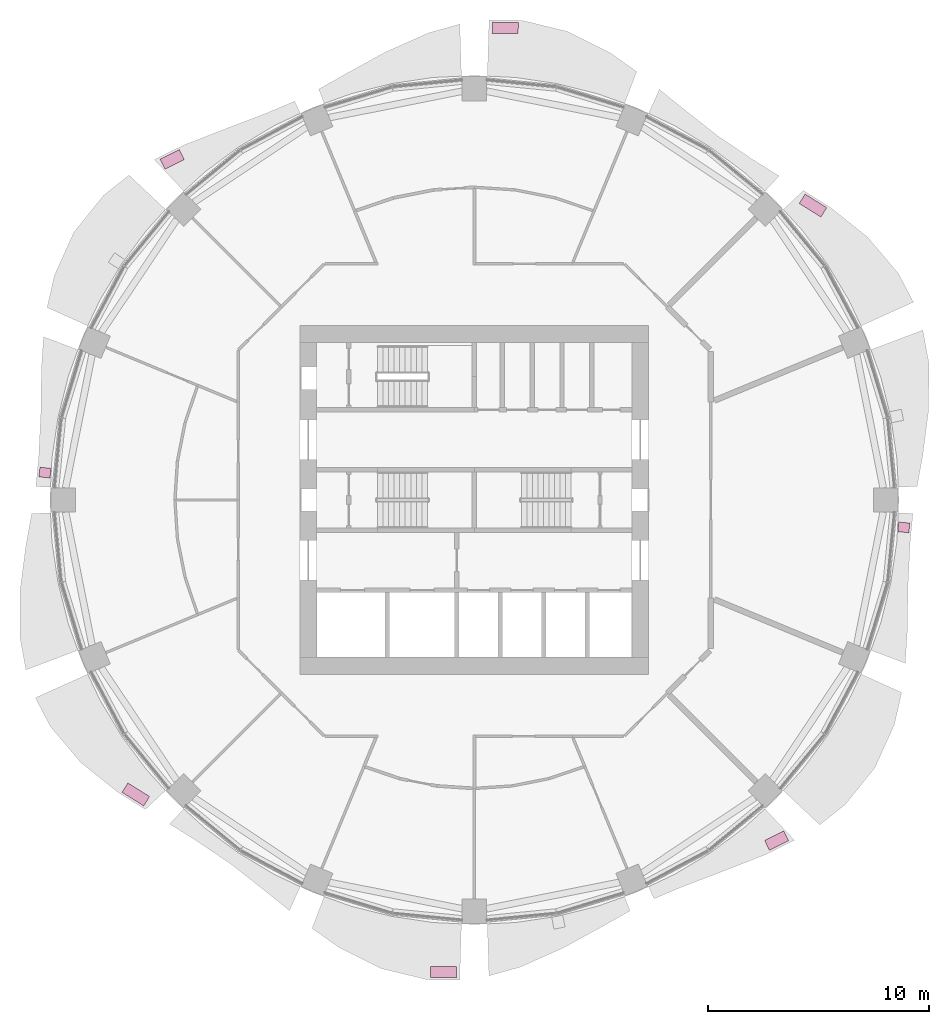
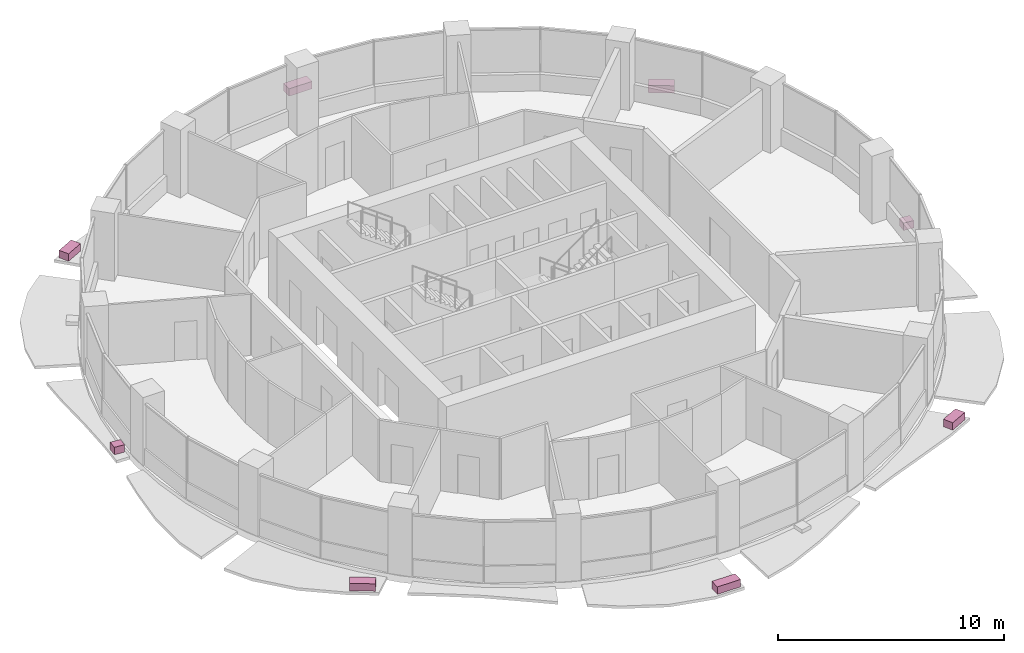
# One storey, part 14 of 14: 8 furniture elements.
"""IFC4 building model written with IfcOpenShell, lengths in metres."""

from ifc_helpers import new_model, si_unit, direction, frame, origin, origin_2d, place, context, subcontext, project, spatial, rectangle, extrude, material, type_object, element, save


model = new_model("IFC4")

# Units and contexts
model_context = context("Model", 3, precision=1e-05, world=origin(), true_north=direction((0.0, 1.0)))
body_context = subcontext(model_context, "Body", "Model", "MODEL_VIEW")
ifc_project = project(units=[si_unit("LENGTHUNIT", "METRE"), si_unit("AREAUNIT", "SQUARE_METRE"), si_unit("VOLUMEUNIT", "CUBIC_METRE"), si_unit("PLANEANGLEUNIT", "RADIAN"), si_unit("MASSUNIT", "GRAM", prefix="KILO")], contexts=[model_context])

# Site, building, storey
site_placement = place(None, origin())
site = spatial("IfcSite", under=ifc_project, at=site_placement, CompositionType="ELEMENT")
building_placement = place(site_placement, origin())
building = spatial("IfcBuilding", under=site, at=building_placement, Name="Polderwave Tower", CompositionType="ELEMENT")
storey_placement = place(building_placement, frame((0.0, 0.0, 105.60009765625)))
storey = spatial("IfcBuildingStorey", under=building, at=storey_placement, Name="L27", CompositionType="ELEMENT", Elevation=105.60009765625)

# Furniture
ifc_material = material(Name="Terracotta", Category="masonry")
furniture_type = type_object("IfcFurnitureType", Name="Terracotta planting trough", AssemblyPlace="NOTDEFINED", PredefinedType="USERDEFINED", material=ifc_material)
furniture_1_placement = place(storey_placement, frame((15.29638671875, 13.3017578125, -0.199951171875), z_axis=(0.0, 0.0, 1.0), x_axis=(-0.847961145686, 0.530058388677, 0.0)))
element("IfcFurniture", 1, at=furniture_1_placement, inside=storey, type_object=furniture_type, Name="Planting trough L27 2", ObjectType="PLANTER", PredefinedType="USERDEFINED", context=body_context, shape_type="SweptSolid", body=[
    extrude(rectangle(XDim=1.156494140625, YDim=0.5, at=origin_2d()), origin(), (0.0, 0.0, 1.0), 0.39990234375),
])
furniture_2_placement = place(storey_placement, frame((1.395263671875, 21.330078125, -0.199951171875), z_axis=(0.0, 0.0, 1.0), x_axis=(-0.999965083517, 0.008356539197, 0.0)))
element("IfcFurniture", 2, at=furniture_2_placement, inside=storey, type_object=furniture_type, Name="Planting trough L27 4", ObjectType="PLANTER", PredefinedType="USERDEFINED", context=body_context, shape_type="SweptSolid", body=[
    extrude(rectangle(XDim=1.173095703125, YDim=0.5, at=origin_2d()), origin(), (0.0, 0.0, 1.0), 0.39990234375),
])
furniture_3_placement = place(storey_placement, frame((-13.654052734375, 15.387939453125, -0.199951171875), z_axis=(0.0, 0.0, 1.0), x_axis=(-0.896097112498, -0.443858045971, 0.0)))
element("IfcFurniture", 3, at=furniture_3_placement, inside=storey, type_object=furniture_type, Name="Planting trough L27 6", ObjectType="PLANTER", PredefinedType="USERDEFINED", context=body_context, shape_type="SweptSolid", body=[
    extrude(rectangle(XDim=0.96533203125, YDim=0.5, at=origin_2d()), origin(), (0.0, 0.0, 1.0), 0.39990234375),
])
furniture_4_placement = place(storey_placement, frame((-19.40185546875, 1.238037109375, -0.199951171875), z_axis=(0.0, 0.0, 1.0), x_axis=(-0.096165409687, -0.995365367079, 0.0)))
element("IfcFurniture", 4, at=furniture_4_placement, inside=storey, type_object=furniture_type, Name="Planting trough L27 8", ObjectType="PLANTER", PredefinedType="USERDEFINED", context=body_context, shape_type="SweptSolid", body=[
    extrude(rectangle(XDim=0.440673828125, YDim=0.5, at=origin_2d()), origin(), (0.0, 0.0, 1.0), 0.39990234375),
])
furniture_5_placement = place(storey_placement, frame((-15.29638671875, -13.3017578125, -0.199951171875), z_axis=(0.0, 0.0, 1.0), x_axis=(0.847961145686, -0.530058388677, 0.0)))
element("IfcFurniture", 5, at=furniture_5_placement, inside=storey, type_object=furniture_type, Name="Planting trough L27 10", ObjectType="PLANTER", PredefinedType="USERDEFINED", context=body_context, shape_type="SweptSolid", body=[
    extrude(rectangle(XDim=1.156494140625, YDim=0.5, at=origin_2d()), origin(), (0.0, 0.0, 1.0), 0.39990234375),
])
furniture_6_placement = place(storey_placement, frame((-1.395263671875, -21.330078125, -0.199951171875), z_axis=(0.0, 0.0, 1.0), x_axis=(0.999965083517, -0.008356539197, 0.0)))
element("IfcFurniture", 6, at=furniture_6_placement, inside=storey, type_object=furniture_type, Name="Planting trough L27 12", ObjectType="PLANTER", PredefinedType="USERDEFINED", context=body_context, shape_type="SweptSolid", body=[
    extrude(rectangle(XDim=1.173095703125, YDim=0.5, at=origin_2d()), origin(), (0.0, 0.0, 1.0), 0.39990234375),
])
furniture_7_placement = place(storey_placement, frame((13.654052734375, -15.387939453125, -0.199951171875), z_axis=(0.0, 0.0, 1.0), x_axis=(0.896097112498, 0.443858045971, 0.0)))
element("IfcFurniture", 7, at=furniture_7_placement, inside=storey, type_object=furniture_type, Name="Planting trough L27 14", ObjectType="PLANTER", PredefinedType="USERDEFINED", context=body_context, shape_type="SweptSolid", body=[
    extrude(rectangle(XDim=0.96533203125, YDim=0.5, at=origin_2d()), origin(), (0.0, 0.0, 1.0), 0.39990234375),
])
furniture_8_placement = place(storey_placement, frame((19.40185546875, -1.238037109375, -0.199951171875), z_axis=(0.0, 0.0, 1.0), x_axis=(0.096165409687, 0.995365367079, 0.0)))
element("IfcFurniture", 8, at=furniture_8_placement, inside=storey, type_object=furniture_type, Name="Planting trough L27 16", ObjectType="PLANTER", PredefinedType="USERDEFINED", context=body_context, shape_type="SweptSolid", body=[
    extrude(rectangle(XDim=0.440673828125, YDim=0.5, at=origin_2d()), origin(), (0.0, 0.0, 1.0), 0.39990234375),
])

save(model, "model.ifc")
